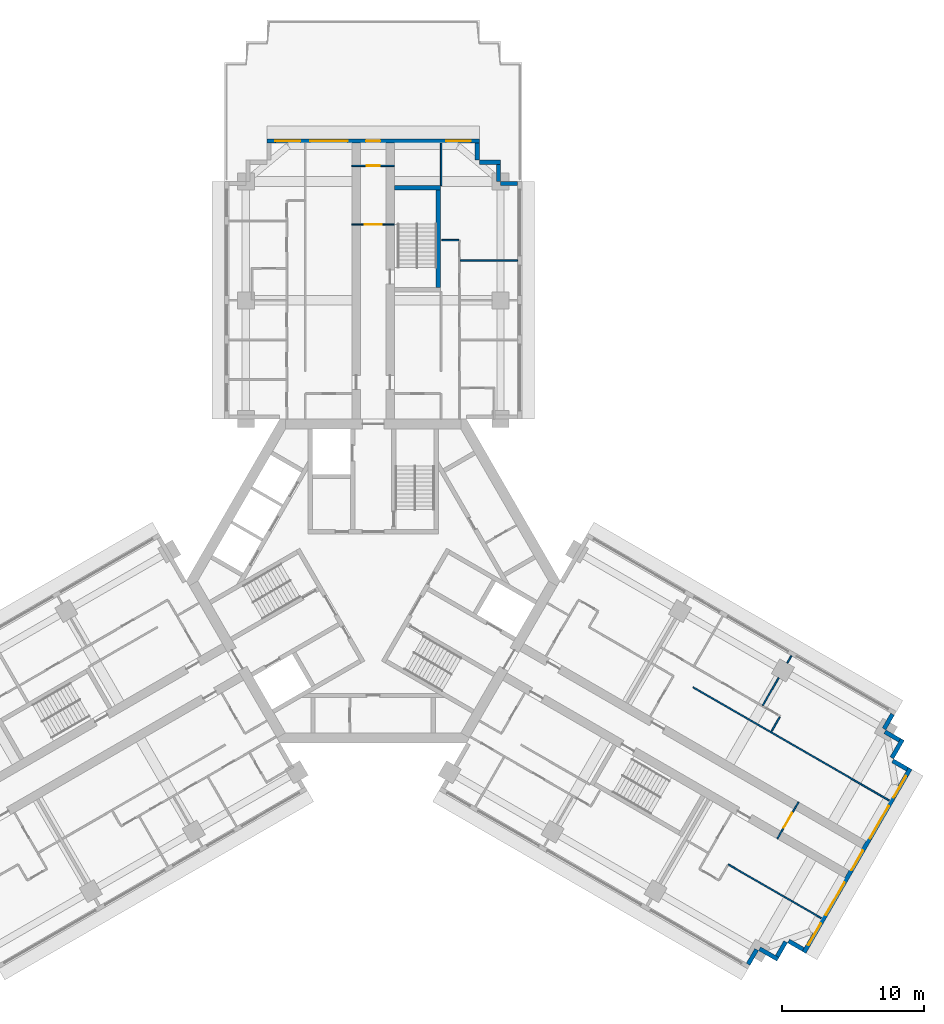
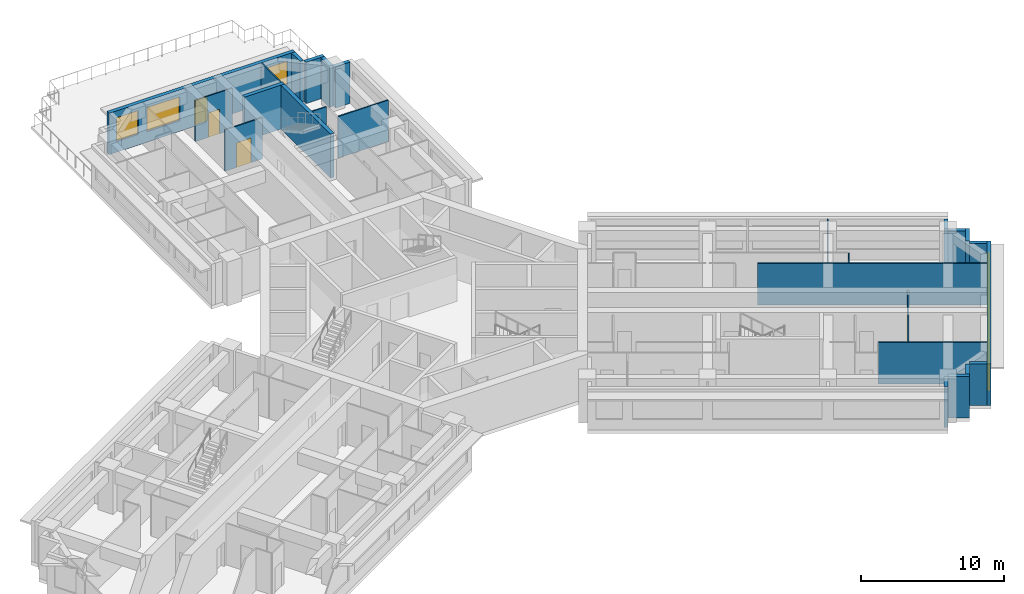
# One storey, part 9 of 12: 27 walls, 8 windows, 4 doors, 12 openings.
"""IFC4 building model written with IfcOpenShell, lengths in metres."""

from ifc_helpers import new_model, si_unit, direction, frame, frame_2d, origin, place, context, subcontext, project, spatial, rectangle, extrude, material, layer, layer_set, type_object, element, fill, save


model = new_model("IFC4")

# Units and contexts
model_context = context("Model", 3, precision=1e-05, world=origin(), true_north=direction((0.0, 1.0)))
body_context = subcontext(model_context, "Body", "Model", "MODEL_VIEW")
ifc_project = project(units=[si_unit("LENGTHUNIT", "METRE"), si_unit("AREAUNIT", "SQUARE_METRE"), si_unit("VOLUMEUNIT", "CUBIC_METRE"), si_unit("PLANEANGLEUNIT", "RADIAN"), si_unit("MASSUNIT", "GRAM", prefix="KILO")], contexts=[model_context])

# Site, building, storey
site_placement = place(None, origin())
site = spatial("IfcSite", under=ifc_project, at=site_placement, CompositionType="ELEMENT")
building_placement = place(site_placement, origin())
building = spatial("IfcBuilding", under=site, at=building_placement, Name="Impinga Residences", CompositionType="ELEMENT")
storey_placement = place(building_placement, frame((0.0, 0.0, 188.5)))
storey = spatial("IfcBuildingStorey", under=building, at=storey_placement, Name="L46", CompositionType="ELEMENT", Elevation=188.5)

# Wall, opening, door
ifc_material_1 = material(Name="Concrete blockwork", Category="masonry")
ifc_layer_1 = layer(ifc_material_1, 0.10009765625)
ifc_layer_set_1 = layer_set([ifc_layer_1], Name="CP1 core room partition, blockwork 100")
wall_type_1 = type_object("IfcWallType", Name="CP1 core room partition, blockwork 100", PredefinedType="PARTITIONING", material=ifc_layer_set_1)
wall_1_placement = place(storey_placement, frame((-1.5, 25.181640625, 0.0), z_axis=(0.0, 0.0, 1.0), x_axis=(1.0, 0.0, 0.0)))
wall_1 = element("IfcWall", 1, at=wall_1_placement, inside=storey, type_object=wall_type_1, Name="Core room partition, blockwork L46:N:LNG", PredefinedType="PARTITIONING", context=body_context, shape_type="SweptSolid", body=[
    extrude(rectangle(XDim=3.0, YDim=0.10009765625, at=frame_2d((1.5, 0.0))), origin(), (0.0, 0.0, 1.0), 3.530029296875),
])
opening_1_placement = place(wall_1_placement, frame((0.89990234375, 0.0, 0.0)))
opening_1 = element("IfcOpeningElement", 2, at=opening_1_placement, cuts=wall_1, Name="Opening D3", PredefinedType="OPENING", context=body_context, shape_type="SweptSolid", body=[
    extrude(rectangle(XDim=1.199951171875, YDim=2.10009765625, at=frame_2d((0.60009765625, 1.050048828125))), frame((0.0, 0.06005859375, 0.0), z_axis=(0.0, -1.0, 0.0), x_axis=(1.0, 0.0, 0.0)), (0.0, 0.0, 1.0), 0.1201171875),
])
ifc_material_2 = material(Name="Timber door set", Category="wood")
door_type_1 = type_object("IfcDoorType", Name="D3 room door, leaf and a half 1200x2100", OperationType="DOUBLE_SWING_LEFT", PredefinedType="DOOR", material=ifc_material_2)
door_1_placement = place(opening_1_placement, origin())
door_1 = element("IfcDoor", 3, at=door_1_placement, inside=storey, type_object=door_type_1, Name="Residents' lounge door N", OperationType="DOUBLE_SWING_LEFT", OverallHeight=2.10009765625, OverallWidth=1.199951171875, PredefinedType="DOOR", context=body_context, shape_type="SweptSolid", body=[
    extrude(rectangle(XDim=1.199951171875, YDim=2.10009765625, at=frame_2d((0.60009765625, 1.050048828125))), frame((0.0, 0.02490234375, 0.0), z_axis=(0.0, -1.0, 0.0), x_axis=(1.0, 0.0, 0.0)), (0.0, 0.0, 1.0), 0.050048828125),
])
fill(opening_1, door_1)

wall_2_placement = place(storey_placement, frame((-1.5, 29.33154296875, 0.0), z_axis=(0.0, 0.0, 1.0), x_axis=(1.0, 0.0, 0.0)))
wall_2 = element("IfcWall", 4, at=wall_2_placement, inside=storey, type_object=wall_type_1, Name="Core room partition, blockwork L46:N:RFA", PredefinedType="PARTITIONING", context=body_context, shape_type="SweptSolid", body=[
    extrude(rectangle(XDim=3.0, YDim=0.10009765625, at=frame_2d((1.5, 0.0))), origin(), (0.0, 0.0, 1.0), 3.530029296875),
])
opening_2_placement = place(wall_2_placement, frame((1.050048828125, 0.0, 0.0)))
opening_2 = element("IfcOpeningElement", 5, at=opening_2_placement, cuts=wall_2, Name="Opening D6", PredefinedType="OPENING", context=body_context, shape_type="SweptSolid", body=[
    extrude(rectangle(XDim=0.89990234375, YDim=2.10009765625, at=frame_2d((0.449951171875, 1.050048828125))), frame((0.0, 0.06005859375, 0.0), z_axis=(0.0, -1.0, 0.0), x_axis=(1.0, 0.0, 0.0)), (0.0, 0.0, 1.0), 0.1201171875),
])
door_type_2 = type_object("IfcDoorType", Name="D6 riser and store door 900x2100", OperationType="SINGLE_SWING_LEFT", PredefinedType="DOOR", material=ifc_material_2)
door_2_placement = place(opening_2_placement, origin())
door_2 = element("IfcDoor", 6, at=door_2_placement, inside=storey, type_object=door_type_2, Name="Roof access room door N", OperationType="SINGLE_SWING_LEFT", OverallHeight=2.10009765625, OverallWidth=0.89990234375, PredefinedType="DOOR", context=body_context, shape_type="SweptSolid", body=[
    extrude(rectangle(XDim=0.89990234375, YDim=2.10009765625, at=frame_2d((0.449951171875, 1.050048828125))), frame((0.0, 0.02490234375, 0.0), z_axis=(0.0, -1.0, 0.0), x_axis=(1.0, 0.0, 0.0)), (0.0, 0.0, 1.0), 0.050048828125),
])
fill(opening_2, door_2)

wall_3_placement = place(storey_placement, frame((30.049072265625, -15.61669921875, 0.0), z_axis=(0.0, 0.0, 1.0), x_axis=(-0.499990139034, -0.866031096941, 0.0)))
wall_3 = element("IfcWall", 7, at=wall_3_placement, inside=storey, type_object=wall_type_1, Name="Core room partition, blockwork L46:E:LNG", PredefinedType="PARTITIONING", context=body_context, shape_type="SweptSolid", body=[
    extrude(rectangle(XDim=3.0, YDim=0.10009765625, at=frame_2d((1.5, 0.0))), origin(), (0.0, 0.0, 1.0), 3.530029296875),
])
opening_3_placement = place(wall_3_placement, frame((0.89990234375, 0.0, 0.0)))
opening_3 = element("IfcOpeningElement", 8, at=opening_3_placement, cuts=wall_3, Name="Opening D3", PredefinedType="OPENING", context=body_context, shape_type="SweptSolid", body=[
    extrude(rectangle(XDim=1.199951171875, YDim=2.10009765625, at=frame_2d((0.60009765625, 1.050048828125))), frame((0.0, 0.06005859375, 0.0), z_axis=(0.0, -1.0, 0.0), x_axis=(1.0, 0.0, 0.0)), (0.0, 0.0, 1.0), 0.1201171875),
])
door_3_placement = place(opening_3_placement, origin())
door_3 = element("IfcDoor", 9, at=door_3_placement, inside=storey, type_object=door_type_1, Name="Residents' lounge door E", OperationType="DOUBLE_SWING_LEFT", OverallHeight=2.10009765625, OverallWidth=1.199951171875, PredefinedType="DOOR", context=body_context, shape_type="SweptSolid", body=[
    extrude(rectangle(XDim=1.199951171875, YDim=2.10009765625, at=frame_2d((0.60009765625, 1.050048828125))), frame((0.0, 0.02490234375, 0.0), z_axis=(0.0, -1.0, 0.0), x_axis=(1.0, 0.0, 0.0)), (0.0, 0.0, 1.0), 0.050048828125),
])
fill(opening_3, door_3)

# Wall, openings, door, windows
ifc_material_3 = material(Name="Terracotta rainscreen on blockwork", Category="masonry")
ifc_layer_2 = layer(ifc_material_3, 0.300048828125)
ifc_layer_set_2 = layer_set([ifc_layer_2], Name="EW1 external wall, terracotta rainscreen on blockwork 300")
wall_type_2 = type_object("IfcWallType", Name="EW1 external wall, terracotta rainscreen on blockwork 300", PredefinedType="SOLIDWALL", material=ifc_layer_set_2)
wall_4_placement = place(storey_placement, frame((-7.5, 31.08154296875, 0.0), z_axis=(0.0, 0.0, 1.0), x_axis=(1.0, 0.0, 0.0)))
wall_4 = element("IfcWall", 10, at=wall_4_placement, inside=storey, type_object=wall_type_2, Name="External wall EW1 L46", PredefinedType="SOLIDWALL", context=body_context, shape_type="SweptSolid", body=[
    extrude(rectangle(XDim=15.0, YDim=0.300048828125, at=frame_2d((7.5, 0.0))), origin(), (0.0, 0.0, 1.0), 3.530029296875),
])
opening_4_placement = place(wall_4_placement, frame((7.0, 0.0, 0.0)))
opening_4 = element("IfcOpeningElement", 11, at=opening_4_placement, cuts=wall_4, Name="Opening RD1", PredefinedType="OPENING", context=body_context, shape_type="SweptSolid", body=[
    extrude(rectangle(XDim=1.0, YDim=2.10009765625, at=frame_2d((0.5, 1.050048828125))), frame((0.0, 0.159912109375, 0.0), z_axis=(0.0, -1.0, 0.0), x_axis=(1.0, 0.0, 0.0)), (0.0, 0.0, 1.0), 0.320068359375),
])
opening_5_placement = place(wall_4_placement, frame((0.60009765625, 0.0, 0.89990234375)))
opening_5 = element("IfcOpeningElement", 12, at=opening_5_placement, cuts=wall_4, Name="Opening W1", PredefinedType="OPENING", context=body_context, shape_type="SweptSolid", body=[
    extrude(rectangle(XDim=1.75, YDim=2.050048828125, at=frame_2d((0.875, 1.02490234375))), frame((0.0, 0.159912109375, 0.0), z_axis=(0.0, -1.0, 0.0), x_axis=(1.0, 0.0, 0.0)), (0.0, 0.0, 1.0), 0.320068359375),
])
opening_6_placement = place(wall_4_placement, frame((3.050048828125, 0.0, 0.89990234375)))
opening_6 = element("IfcOpeningElement", 13, at=opening_6_placement, cuts=wall_4, Name="Opening W18", PredefinedType="OPENING", context=body_context, shape_type="SweptSolid", body=[
    extrude(rectangle(XDim=2.64990234375, YDim=2.050048828125, at=frame_2d((1.324951171875, 1.02490234375))), frame((0.0, 0.159912109375, 0.0), z_axis=(0.0, -1.0, 0.0), x_axis=(1.0, 0.0, 0.0)), (0.0, 0.0, 1.0), 0.320068359375),
])
opening_7_placement = place(wall_4_placement, frame((12.64990234375, 0.0, 0.89990234375)))
opening_7 = element("IfcOpeningElement", 14, at=opening_7_placement, cuts=wall_4, Name="Opening W1", PredefinedType="OPENING", context=body_context, shape_type="SweptSolid", body=[
    extrude(rectangle(XDim=1.75, YDim=2.050048828125, at=frame_2d((0.875, 1.02490234375))), frame((0.0, 0.159912109375, 0.0), z_axis=(0.0, -1.0, 0.0), x_axis=(1.0, 0.0, 0.0)), (0.0, 0.0, 1.0), 0.320068359375),
])
ifc_material_4 = material(Name="Steel door, painted", Category="steel")
door_type_3 = type_object("IfcDoorType", Name="RD1 maintenance roof access door 1000x2100", OperationType="SINGLE_SWING_LEFT", PredefinedType="DOOR", material=ifc_material_4)
door_4_placement = place(opening_4_placement, origin())
door_4 = element("IfcDoor", 15, at=door_4_placement, inside=storey, type_object=door_type_3, Name="Maintenance roof access door L46", OperationType="SINGLE_SWING_LEFT", OverallHeight=2.10009765625, OverallWidth=1.0, PredefinedType="DOOR", context=body_context, shape_type="SweptSolid", body=[
    extrude(rectangle(XDim=1.0, YDim=2.10009765625, at=frame_2d((0.5, 1.050048828125))), frame((0.0, 0.02490234375, 0.0), z_axis=(0.0, -1.0, 0.0), x_axis=(1.0, 0.0, 0.0)), (0.0, 0.0, 1.0), 0.050048828125),
])
fill(opening_4, door_4)
ifc_material_5 = material(Name="Aluminium window, clear double glazing", Category="aluminium")
window_type_1 = type_object("IfcWindowType", Name="W1 ribbon window 1750x2050", PartitioningType="SINGLE_PANEL", PredefinedType="WINDOW", material=ifc_material_5)
window_1_placement = place(opening_5_placement, origin())
window_1 = element("IfcWindow", 16, at=window_1_placement, inside=storey, type_object=window_type_1, Name="Window L46", OverallHeight=2.050048828125, OverallWidth=1.75, PartitioningType="SINGLE_PANEL", PredefinedType="WINDOW", context=body_context, shape_type="SweptSolid", body=[
    extrude(rectangle(XDim=1.75, YDim=2.050048828125, at=frame_2d((0.875, 1.02490234375))), frame((0.0, 0.030029296875, 0.0), z_axis=(0.0, -1.0, 0.0), x_axis=(1.0, 0.0, 0.0)), (0.0, 0.0, 1.0), 0.06005859375),
])
fill(opening_5, window_1)
window_2_placement = place(opening_7_placement, origin())
window_2 = element("IfcWindow", 17, at=window_2_placement, inside=storey, type_object=window_type_1, Name="Window L46", OverallHeight=2.050048828125, OverallWidth=1.75, PartitioningType="SINGLE_PANEL", PredefinedType="WINDOW", context=body_context, shape_type="SweptSolid", body=[
    extrude(rectangle(XDim=1.75, YDim=2.050048828125, at=frame_2d((0.875, 1.02490234375))), frame((0.0, 0.030029296875, 0.0), z_axis=(0.0, -1.0, 0.0), x_axis=(1.0, 0.0, 0.0)), (0.0, 0.0, 1.0), 0.06005859375),
])
fill(opening_7, window_2)
window_type_2 = type_object("IfcWindowType", Name="W18 ribbon window 2650x2050", PartitioningType="SINGLE_PANEL", PredefinedType="WINDOW", material=ifc_material_5)
window_3_placement = place(opening_6_placement, origin())
window_3 = element("IfcWindow", 18, at=window_3_placement, inside=storey, type_object=window_type_2, Name="Window L46", OverallHeight=2.050048828125, OverallWidth=2.64990234375, PartitioningType="SINGLE_PANEL", PredefinedType="WINDOW", context=body_context, shape_type="SweptSolid", body=[
    extrude(rectangle(XDim=2.64990234375, YDim=2.050048828125, at=frame_2d((1.324951171875, 1.02490234375))), frame((0.0, 0.030029296875, 0.0), z_axis=(0.0, -1.0, 0.0), x_axis=(1.0, 0.0, 0.0)), (0.0, 0.0, 1.0), 0.06005859375),
])
fill(opening_6, window_3)

# Walls
wall_5_placement = place(storey_placement, frame((7.35009765625, 30.931640625, 0.0), z_axis=(0.0, 0.0, 1.0), x_axis=(0.0, -1.0, 0.0)))
element("IfcWall", 19, at=wall_5_placement, inside=storey, type_object=wall_type_2, Name="External wall EW1 L46", PredefinedType="SOLIDWALL", context=body_context, shape_type="SweptSolid", body=[
    extrude(rectangle(XDim=1.195068359375, YDim=0.300048828125, at=frame_2d((0.59765625, 0.0))), origin(), (0.0, 0.0, 1.0), 3.530029296875),
])
wall_6_placement = place(storey_placement, frame((7.5, 29.58154296875, 0.0), z_axis=(0.0, 0.0, 1.0), x_axis=(1.0, 0.0, 0.0)))
element("IfcWall", 20, at=wall_6_placement, inside=storey, type_object=wall_type_2, Name="External wall EW1 L46", PredefinedType="SOLIDWALL", context=body_context, shape_type="SweptSolid", body=[
    extrude(rectangle(XDim=1.5, YDim=0.300048828125, at=frame_2d((0.75, 0.0))), origin(), (0.0, 0.0, 1.0), 3.530029296875),
])
wall_7_placement = place(storey_placement, frame((8.85009765625, 29.431640625, 0.0), z_axis=(0.0, 0.0, 1.0), x_axis=(0.0, -1.0, 0.0)))
element("IfcWall", 21, at=wall_7_placement, inside=storey, type_object=wall_type_2, Name="External wall EW1 L46", PredefinedType="SOLIDWALL", context=body_context, shape_type="SweptSolid", body=[
    extrude(rectangle(XDim=1.2001953125, YDim=0.300048828125, at=frame_2d((0.60009765625, 0.0))), origin(), (0.0, 0.0, 1.0), 3.530029296875),
])
wall_8_placement = place(storey_placement, frame((9.0048828125, 28.08154296875, 0.0), z_axis=(0.0, 0.0, 1.0), x_axis=(1.0, 0.0, 0.0)))
element("IfcWall", 22, at=wall_8_placement, inside=storey, type_object=wall_type_2, Name="External wall EW1 L46", PredefinedType="SOLIDWALL", context=body_context, shape_type="SweptSolid", body=[
    extrude(rectangle(XDim=1.195068359375, YDim=0.300048828125, at=frame_2d((0.59765625, 0.0))), origin(), (0.0, 0.0, 1.0), 3.530029296875),
])
wall_9_placement = place(storey_placement, frame((36.69384765625, -9.4072265625, 0.0), z_axis=(0.0, 0.0, 1.0), x_axis=(-0.499880961361, -0.866094119867, 0.0)))
element("IfcWall", 23, at=wall_9_placement, inside=storey, type_object=wall_type_2, Name="External wall EW1 L46", PredefinedType="SOLIDWALL", context=body_context, shape_type="SweptSolid", body=[
    extrude(rectangle(XDim=1.199951171875, YDim=0.300048828125, at=frame_2d((0.60009765625, 0.0))), origin(), (0.0, 0.0, 1.0), 3.530029296875),
])
wall_10_placement = place(storey_placement, frame((36.153076171875, -10.654052734375, 0.0), z_axis=(0.0, 0.0, 1.0), x_axis=(0.866059708757, -0.499940577336, 0.0)))
element("IfcWall", 24, at=wall_10_placement, inside=storey, type_object=wall_type_2, Name="External wall EW1 L46", PredefinedType="SOLIDWALL", context=body_context, shape_type="SweptSolid", body=[
    extrude(rectangle(XDim=1.195068359375, YDim=0.300048828125, at=frame_2d((0.59765625, 0.0))), origin(), (0.0, 0.0, 1.0), 3.530029296875),
])
wall_11_placement = place(storey_placement, frame((37.39306640625, -11.196533203125, 0.0), z_axis=(0.0, 0.0, 1.0), x_axis=(-0.499990139034, -0.866031096941, 0.0)))
element("IfcWall", 25, at=wall_11_placement, inside=storey, type_object=wall_type_2, Name="External wall EW1 L46", PredefinedType="SOLIDWALL", context=body_context, shape_type="SweptSolid", body=[
    extrude(rectangle(XDim=1.5, YDim=0.300048828125, at=frame_2d((0.75, 0.0))), origin(), (0.0, 0.0, 1.0), 3.530029296875),
])
wall_12_placement = place(storey_placement, frame((36.7021484375, -12.702880859375, 0.0), z_axis=(0.0, 0.0, 1.0), x_axis=(0.865971243484, -0.500093796661, 0.0)))
element("IfcWall", 26, at=wall_12_placement, inside=storey, type_object=wall_type_2, Name="External wall EW1 L46", PredefinedType="SOLIDWALL", context=body_context, shape_type="SweptSolid", body=[
    extrude(rectangle(XDim=1.195068359375, YDim=0.300048828125, at=frame_2d((0.59765625, 0.0))), origin(), (0.0, 0.0, 1.0), 3.530029296875),
])

# Wall, openings, windows
wall_13_placement = place(storey_placement, frame((37.94189453125, -13.24560546875, 0.0), z_axis=(0.0, 0.0, 1.0), x_axis=(-0.500004234368, -0.866022959057, 0.0)))
wall_13 = element("IfcWall", 27, at=wall_13_placement, inside=storey, type_object=wall_type_2, Name="External wall EW1 L46", PredefinedType="SOLIDWALL", context=body_context, shape_type="SweptSolid", body=[
    extrude(rectangle(XDim=14.999755859375, YDim=0.300048828125, at=frame_2d((7.5, 0.0))), origin(), (0.0, 0.0, 1.0), 3.530029296875),
])
opening_8_placement = place(wall_13_placement, frame((0.60009765625, 0.0, 0.89990234375)))
opening_8 = element("IfcOpeningElement", 28, at=opening_8_placement, cuts=wall_13, Name="Opening W1", PredefinedType="OPENING", context=body_context, shape_type="SweptSolid", body=[
    extrude(rectangle(XDim=1.75, YDim=2.050048828125, at=frame_2d((0.875, 1.02490234375))), frame((0.0, 0.159912109375, 0.0), z_axis=(0.0, -1.0, 0.0), x_axis=(1.0, 0.0, 0.0)), (0.0, 0.0, 1.0), 0.320068359375),
])
opening_9_placement = place(wall_13_placement, frame((3.050048828125, 0.0, 0.89990234375)))
opening_9 = element("IfcOpeningElement", 29, at=opening_9_placement, cuts=wall_13, Name="Opening W18", PredefinedType="OPENING", context=body_context, shape_type="SweptSolid", body=[
    extrude(rectangle(XDim=2.64990234375, YDim=2.050048828125, at=frame_2d((1.324951171875, 1.02490234375))), frame((0.0, 0.159912109375, 0.0), z_axis=(0.0, -1.0, 0.0), x_axis=(1.0, 0.0, 0.0)), (0.0, 0.0, 1.0), 0.320068359375),
])
opening_10_placement = place(wall_13_placement, frame((6.699951171875, 0.0, 0.89990234375)))
opening_10 = element("IfcOpeningElement", 30, at=opening_10_placement, cuts=wall_13, Name="Opening W19", PredefinedType="OPENING", context=body_context, shape_type="SweptSolid", body=[
    extrude(rectangle(XDim=1.60009765625, YDim=2.050048828125, at=frame_2d((0.800048828125, 1.02490234375))), frame((0.0, 0.159912109375, 0.0), z_axis=(0.0, -1.0, 0.0), x_axis=(1.0, 0.0, 0.0)), (0.0, 0.0, 1.0), 0.320068359375),
])
opening_11_placement = place(wall_13_placement, frame((9.300048828125, 0.0, 0.89990234375)))
opening_11 = element("IfcOpeningElement", 31, at=opening_11_placement, cuts=wall_13, Name="Opening W18", PredefinedType="OPENING", context=body_context, shape_type="SweptSolid", body=[
    extrude(rectangle(XDim=2.64990234375, YDim=2.050048828125, at=frame_2d((1.324951171875, 1.02490234375))), frame((0.0, 0.159912109375, 0.0), z_axis=(0.0, -1.0, 0.0), x_axis=(1.0, 0.0, 0.0)), (0.0, 0.0, 1.0), 0.320068359375),
])
opening_12_placement = place(wall_13_placement, frame((12.64990234375, 0.0, 0.89990234375)))
opening_12 = element("IfcOpeningElement", 32, at=opening_12_placement, cuts=wall_13, Name="Opening W1", PredefinedType="OPENING", context=body_context, shape_type="SweptSolid", body=[
    extrude(rectangle(XDim=1.75, YDim=2.050048828125, at=frame_2d((0.875, 1.02490234375))), frame((0.0, 0.159912109375, 0.0), z_axis=(0.0, -1.0, 0.0), x_axis=(1.0, 0.0, 0.0)), (0.0, 0.0, 1.0), 0.320068359375),
])
window_4_placement = place(opening_8_placement, origin())
window_4 = element("IfcWindow", 33, at=window_4_placement, inside=storey, type_object=window_type_1, Name="Window L46", OverallHeight=2.050048828125, OverallWidth=1.75, PartitioningType="SINGLE_PANEL", PredefinedType="WINDOW", context=body_context, shape_type="SweptSolid", body=[
    extrude(rectangle(XDim=1.75, YDim=2.050048828125, at=frame_2d((0.875, 1.02490234375))), frame((0.0, 0.030029296875, 0.0), z_axis=(0.0, -1.0, 0.0), x_axis=(1.0, 0.0, 0.0)), (0.0, 0.0, 1.0), 0.06005859375),
])
fill(opening_8, window_4)
window_5_placement = place(opening_12_placement, origin())
window_5 = element("IfcWindow", 34, at=window_5_placement, inside=storey, type_object=window_type_1, Name="Window L46", OverallHeight=2.050048828125, OverallWidth=1.75, PartitioningType="SINGLE_PANEL", PredefinedType="WINDOW", context=body_context, shape_type="SweptSolid", body=[
    extrude(rectangle(XDim=1.75, YDim=2.050048828125, at=frame_2d((0.875, 1.02490234375))), frame((0.0, 0.030029296875, 0.0), z_axis=(0.0, -1.0, 0.0), x_axis=(1.0, 0.0, 0.0)), (0.0, 0.0, 1.0), 0.06005859375),
])
fill(opening_12, window_5)
window_6_placement = place(opening_9_placement, origin())
window_6 = element("IfcWindow", 35, at=window_6_placement, inside=storey, type_object=window_type_2, Name="Window L46", OverallHeight=2.050048828125, OverallWidth=2.64990234375, PartitioningType="SINGLE_PANEL", PredefinedType="WINDOW", context=body_context, shape_type="SweptSolid", body=[
    extrude(rectangle(XDim=2.64990234375, YDim=2.050048828125, at=frame_2d((1.324951171875, 1.02490234375))), frame((0.0, 0.030029296875, 0.0), z_axis=(0.0, -1.0, 0.0), x_axis=(1.0, 0.0, 0.0)), (0.0, 0.0, 1.0), 0.06005859375),
])
fill(opening_9, window_6)
window_7_placement = place(opening_11_placement, origin())
window_7 = element("IfcWindow", 36, at=window_7_placement, inside=storey, type_object=window_type_2, Name="Window L46", OverallHeight=2.050048828125, OverallWidth=2.64990234375, PartitioningType="SINGLE_PANEL", PredefinedType="WINDOW", context=body_context, shape_type="SweptSolid", body=[
    extrude(rectangle(XDim=2.64990234375, YDim=2.050048828125, at=frame_2d((1.324951171875, 1.02490234375))), frame((0.0, 0.030029296875, 0.0), z_axis=(0.0, -1.0, 0.0), x_axis=(1.0, 0.0, 0.0)), (0.0, 0.0, 1.0), 0.06005859375),
])
fill(opening_11, window_7)
window_type_3 = type_object("IfcWindowType", Name="W19 ribbon window 1600x2050", PartitioningType="SINGLE_PANEL", PredefinedType="WINDOW", material=ifc_material_5)
window_8_placement = place(opening_10_placement, origin())
window_8 = element("IfcWindow", 37, at=window_8_placement, inside=storey, type_object=window_type_3, Name="Window L46", OverallHeight=2.050048828125, OverallWidth=1.60009765625, PartitioningType="SINGLE_PANEL", PredefinedType="WINDOW", context=body_context, shape_type="SweptSolid", body=[
    extrude(rectangle(XDim=1.60009765625, YDim=2.050048828125, at=frame_2d((0.800048828125, 1.02490234375))), frame((0.0, 0.030029296875, 0.0), z_axis=(0.0, -1.0, 0.0), x_axis=(1.0, 0.0, 0.0)), (0.0, 0.0, 1.0), 0.06005859375),
])
fill(opening_10, window_8)

# Walls
wall_14_placement = place(storey_placement, frame((30.38720703125, -26.031005859375, 0.0), z_axis=(0.0, 0.0, 1.0), x_axis=(-0.866059708757, 0.499940577336, 0.0)))
element("IfcWall", 38, at=wall_14_placement, inside=storey, type_object=wall_type_2, Name="External wall EW1 L46", PredefinedType="SOLIDWALL", context=body_context, shape_type="SweptSolid", body=[
    extrude(rectangle(XDim=1.195068359375, YDim=0.300048828125, at=frame_2d((0.59765625, 0.0))), origin(), (0.0, 0.0, 1.0), 3.530029296875),
])
wall_15_placement = place(storey_placement, frame((29.14306640625, -25.48583984375, 0.0), z_axis=(0.0, 0.0, 1.0), x_axis=(-0.500033551112, -0.866006032174, 0.0)))
element("IfcWall", 39, at=wall_15_placement, inside=storey, type_object=wall_type_2, Name="External wall EW1 L46", PredefinedType="SOLIDWALL", context=body_context, shape_type="SweptSolid", body=[
    extrude(rectangle(XDim=1.2001953125, YDim=0.300048828125, at=frame_2d((0.60009765625, 0.0))), origin(), (0.0, 0.0, 1.0), 3.530029296875),
])
wall_16_placement = place(storey_placement, frame((28.597900390625, -26.72998046875, 0.0), z_axis=(0.0, 0.0, 1.0), x_axis=(-0.866031096941, 0.499990139034, 0.0)))
element("IfcWall", 40, at=wall_16_placement, inside=storey, type_object=wall_type_2, Name="External wall EW1 L46", PredefinedType="SOLIDWALL", context=body_context, shape_type="SweptSolid", body=[
    extrude(rectangle(XDim=1.5, YDim=0.300048828125, at=frame_2d((0.75, 0.0))), origin(), (0.0, 0.0, 1.0), 3.530029296875),
])
wall_17_placement = place(storey_placement, frame((27.091552734375, -26.039306640625, 0.0), z_axis=(0.0, 0.0, 1.0), x_axis=(-0.500093796661, -0.865971243484, 0.0)))
element("IfcWall", 41, at=wall_17_placement, inside=storey, type_object=wall_type_2, Name="External wall EW1 L46", PredefinedType="SOLIDWALL", context=body_context, shape_type="SweptSolid", body=[
    extrude(rectangle(XDim=1.195068359375, YDim=0.300048828125, at=frame_2d((0.59765625, 0.0))), origin(), (0.0, 0.0, 1.0), 3.530029296875),
])
ifc_material_6 = material(Name="Gypsum board on steel studs", Category="steel")
ifc_layer_3 = layer(ifc_material_6, 0.10009765625)
ifc_layer_set_3 = layer_set([ifc_layer_3], Name="Gypsum board on steel studs")
wall_type_3 = type_object("IfcWallType", Name="IP1 partition 100", PredefinedType="PARTITIONING", material=ifc_layer_set_3)
wall_18_placement = place(storey_placement, frame((4.800048828125, 27.931640625, 0.0), z_axis=(0.0, 0.0, 1.0), x_axis=(0.0, 1.0, 0.0)))
element("IfcWall", 42, at=wall_18_placement, inside=storey, type_object=wall_type_3, Name="Partition L46-NF1:DIV2", PredefinedType="PARTITIONING", context=body_context, shape_type="SweptSolid", body=[
    extrude(rectangle(XDim=3.0, YDim=0.10009765625, at=frame_2d((1.5, 0.0))), origin(), (0.0, 0.0, 1.0), 3.530029296875),
])
wall_19_placement = place(storey_placement, frame((4.85009765625, 24.08154296875, 0.0), z_axis=(0.0, 0.0, 1.0), x_axis=(1.0, 0.0, 0.0)))
element("IfcWall", 43, at=wall_19_placement, inside=storey, type_object=wall_type_3, Name="Partition L46-NF1:SE1", PredefinedType="PARTITIONING", context=body_context, shape_type="SweptSolid", body=[
    extrude(rectangle(XDim=1.199951171875, YDim=0.10009765625, at=frame_2d((0.60009765625, 0.0))), origin(), (0.0, 0.0, 1.0), 3.530029296875),
])
wall_20_placement = place(storey_placement, frame((6.14990234375, 22.631591796875, 0.0), z_axis=(0.0, 0.0, 1.0), x_axis=(1.0, 0.0, 0.0)))
element("IfcWall", 44, at=wall_20_placement, inside=storey, type_object=wall_type_3, Name="Partition L46-NF1:OB3", PredefinedType="PARTITIONING", context=body_context, shape_type="SweptSolid", body=[
    extrude(rectangle(XDim=4.050048828125, YDim=0.10009765625, at=frame_2d((2.02490234375, 0.0))), origin(), (0.0, 0.0, 1.0), 3.530029296875),
])
wall_21_placement = place(storey_placement, frame((22.605712890625, -7.5087890625, 0.0), z_axis=(0.0, 0.0, 1.0), x_axis=(0.866026010844, -0.49999894854, 0.0)))
element("IfcWall", 45, at=wall_21_placement, inside=storey, type_object=wall_type_3, Name="Partition L46-EA2:DIV1", PredefinedType="PARTITIONING", context=body_context, shape_type="SweptSolid", body=[
    extrude(rectangle(XDim=16.0, YDim=0.10009765625, at=frame_2d((8.0, 0.0))), origin(), (0.0, 0.0, 1.0), 3.530029296875),
])
wall_22_placement = place(storey_placement, frame((28.1298828125, -10.640625, 0.0), z_axis=(0.0, 0.0, 1.0), x_axis=(0.500033551112, 0.866006032174, 0.0)))
element("IfcWall", 46, at=wall_22_placement, inside=storey, type_object=wall_type_3, Name="Partition L46-EA2:SE1", PredefinedType="PARTITIONING", context=body_context, shape_type="SweptSolid", body=[
    extrude(rectangle(XDim=1.2001953125, YDim=0.10009765625, at=frame_2d((0.60009765625, 0.0))), origin(), (0.0, 0.0, 1.0), 3.530029296875),
])
wall_23_placement = place(storey_placement, frame((27.524169921875, -8.789794921875, 0.0), z_axis=(0.0, 0.0, 1.0), x_axis=(0.499966648284, 0.866044658551, 0.0)))
element("IfcWall", 47, at=wall_23_placement, inside=storey, type_object=wall_type_3, Name="Partition L46-EA2:OB2", PredefinedType="PARTITIONING", context=body_context, shape_type="SweptSolid", body=[
    extrude(rectangle(XDim=2.250244140625, YDim=0.10009765625, at=frame_2d((1.125, 0.0))), origin(), (0.0, 0.0, 1.0), 2.47998046875),
])
wall_24_placement = place(storey_placement, frame((29.249267578125, -5.802001953125, 0.0), z_axis=(0.0, 0.0, 1.0), x_axis=(0.499945471869, 0.866056883327, 0.0)))
element("IfcWall", 48, at=wall_24_placement, inside=storey, type_object=wall_type_3, Name="Partition L46-EA2:OB2b", PredefinedType="PARTITIONING", context=body_context, shape_type="SweptSolid", body=[
    extrude(rectangle(XDim=0.60009765625, YDim=0.10009765625, at=frame_2d((0.300048828125, 0.0))), origin(), (0.0, 0.0, 1.0), 3.530029296875),
])
wall_25_placement = place(storey_placement, frame((25.080322265625, -20.022705078125, 0.0), z_axis=(0.0, 0.0, 1.0), x_axis=(0.866022425744, -0.500005158081, 0.0)))
element("IfcWall", 49, at=wall_25_placement, inside=storey, type_object=wall_type_3, Name="Partition L46-EF2:DIV1", PredefinedType="PARTITIONING", context=body_context, shape_type="SweptSolid", body=[
    extrude(rectangle(XDim=7.60009765625, YDim=0.10009765625, at=frame_2d((3.800048828125, 0.0))), origin(), (0.0, 0.0, 1.0), 3.530029296875),
])
ifc_material_7 = material(Name="Concrete C60/75", Category="concrete")
ifc_layer_4 = layer(ifc_material_7, 0.300048828125)
ifc_layer_set_4 = layer_set([ifc_layer_4], Name="Concrete C60/75")
wall_type_4 = type_object("IfcWallType", Name="SE1 wing stair enclosure wall 300", PredefinedType="SOLIDWALL", material=ifc_layer_set_4)
wall_26_placement = place(storey_placement, frame((1.5, 27.781494140625, 0.0), z_axis=(0.0, 0.0, 1.0), x_axis=(1.0, 0.0, 0.0)))
element("IfcWall", 50, at=wall_26_placement, inside=storey, type_object=wall_type_4, Name="Stair enclosure wall SE1 N END1 L46", PredefinedType="SOLIDWALL", context=body_context, shape_type="SweptSolid", body=[
    extrude(rectangle(XDim=3.25, YDim=0.300048828125, at=frame_2d((1.625, 0.0))), origin(), (0.0, 0.0, 1.0), 3.75),
])
wall_27_placement = place(storey_placement, frame((4.60009765625, 20.7314453125, 0.0), z_axis=(0.0, 0.0, 1.0), x_axis=(0.0, 1.0, 0.0)))
element("IfcWall", 51, at=wall_27_placement, inside=storey, type_object=wall_type_4, Name="Stair enclosure wall SE1 N OUT L46", PredefinedType="SOLIDWALL", context=body_context, shape_type="SweptSolid", body=[
    extrude(rectangle(XDim=6.900146484375, YDim=0.300048828125, at=frame_2d((3.4501953125, 0.0))), origin(), (0.0, 0.0, 1.0), 3.75),
])

save(model, "model.ifc")
